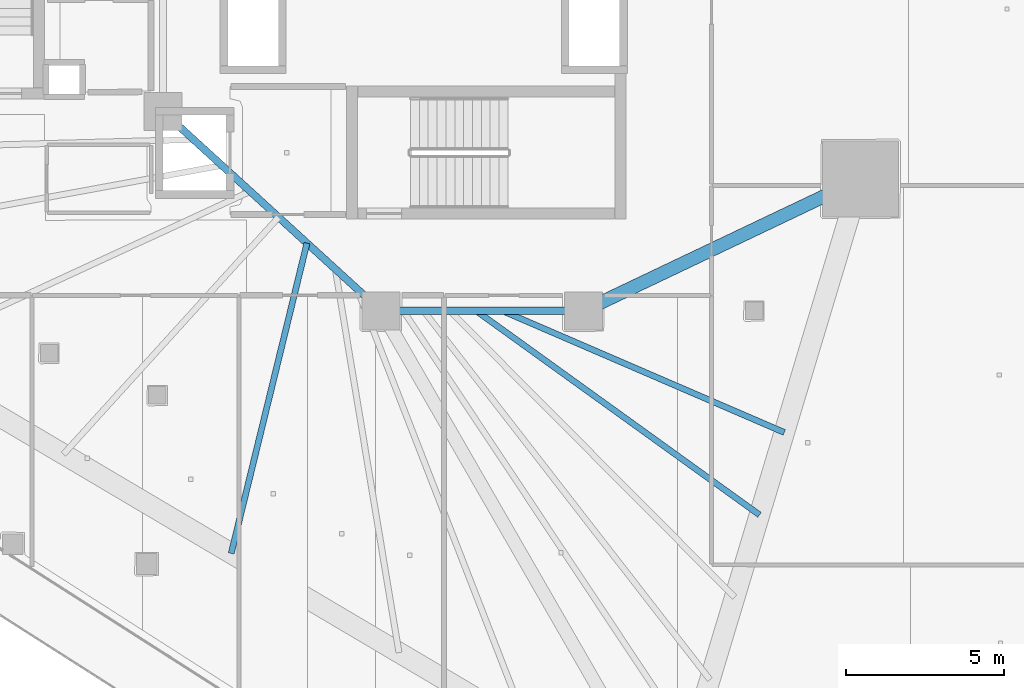
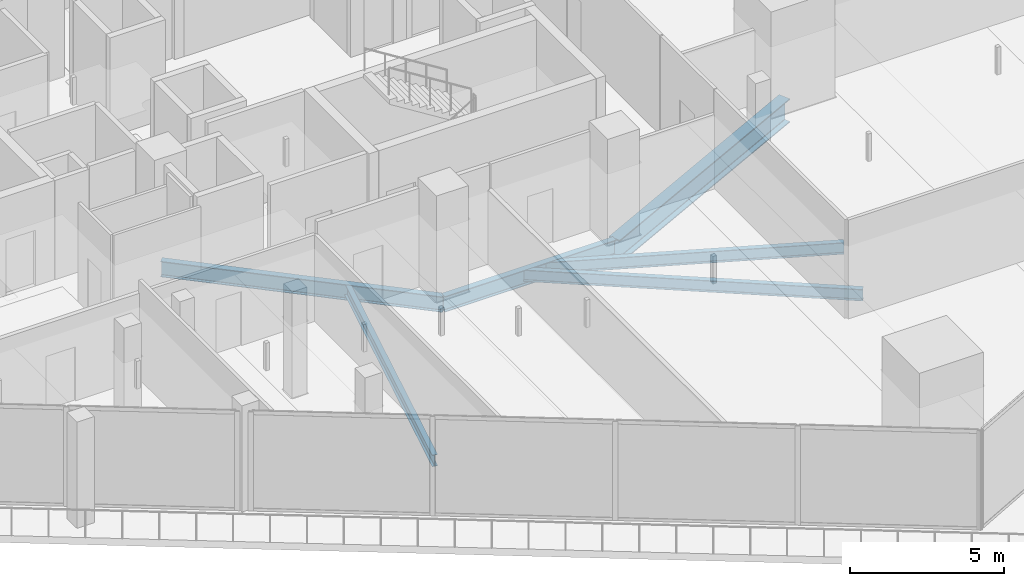
# One storey, part 12 of 46: 6 beams.
"""IFC4 building model written with IfcOpenShell, lengths in metres."""

import ifcopenshell
import ifcopenshell.guid

model = None  # the IFC model being written
_history = None  # IfcOwnerHistory: only IFC2X3 demands one
_inside = {}  # id of a spatial element -> (the spatial element, [elements in it])
_under = {}  # id of a project, library or spatial element -> (it, [spatial elements below it])
_declared = {}  # id of a project -> (the project, [libraries it declares])
_typed = {}  # id of a type object -> (the type object, [elements of that type])
_made_of = {}  # id of a material, layer set ... -> (it, [elements and type objects made of it])


def new_model(schema):
    """Start an empty IFC model of exactly this schema.

    Asked for "IFC4X3", IfcOpenShell would pick the latest addendum, in which some entities
    have other attributes; the version numbers below select the first issue.
    IFC2X3 requires an IfcOwnerHistory on every rooted entity: one is made here for all.
    """
    global model, _history
    if schema == "IFC4X3":
        model = ifcopenshell.file(schema_version=(4, 3, 0, 0))
    else:
        model = ifcopenshell.file(schema=schema)
    _inside.clear()
    _under.clear()
    _declared.clear()
    _typed.clear()
    _made_of.clear()
    _history = None
    if model.schema == "IFC2X3":
        org = make("IfcOrganization", Name="unknown")
        user = make(
            "IfcPersonAndOrganization",
            ThePerson=make("IfcPerson", FamilyName="unknown"),
            TheOrganization=org,
        )
        app = make(
            "IfcApplication",
            ApplicationDeveloper=org,
            Version="unknown",
            ApplicationFullName="unknown",
            ApplicationIdentifier="unknown",
        )
        _history = make(
            "IfcOwnerHistory",
            OwningUser=user,
            OwningApplication=app,
            ChangeAction="ADDED",
            CreationDate=0,
        )
    return model


def make(cls, **values):
    """One entity of the class cls with the attributes given. An attribute that is None is left unset."""
    return model.create_entity(
        cls, **{name: value for name, value in values.items() if value is not None}
    )


def rooted(cls, **values):
    """An entity with a GlobalId (a new one), such as an element, a storey or a relation."""
    return make(cls, GlobalId=ifcopenshell.guid.new(), OwnerHistory=_history, **values)


def si_unit(unit_type, name, prefix=None):
    """IfcSIUnit, for example si_unit("LENGTHUNIT", "METRE", prefix="MILLI")."""
    return make("IfcSIUnit", UnitType=unit_type, Prefix=prefix, Name=name)


def assignment(units):
    """IfcUnitAssignment: the units of a project."""
    return None if units is None else make("IfcUnitAssignment", Units=units)


def point(xyz):
    """IfcCartesianPoint."""
    return None if xyz is None else make("IfcCartesianPoint", Coordinates=xyz)


def direction(xyz):
    """IfcDirection."""
    return None if xyz is None else make("IfcDirection", DirectionRatios=xyz)


def frame(location, z_axis=None, x_axis=None):
    """IfcAxis2Placement3D, a coordinate frame: its origin and axes. An axis left out is left unset."""
    return make(
        "IfcAxis2Placement3D",
        Location=point(location),
        Axis=direction(z_axis),
        RefDirection=direction(x_axis),
    )


def frame_2d(location, x_axis=None):
    """IfcAxis2Placement2D, a coordinate frame in the plane: its origin and x axis."""
    return make(
        "IfcAxis2Placement2D", Location=point(location), RefDirection=direction(x_axis)
    )


def origin():
    """The frame at (0, 0, 0) with its axes left unset."""
    return frame((0.0, 0.0, 0.0))


def origin_2d():
    """The frame at (0, 0) in the plane with its x axis left unset."""
    return frame_2d((0.0, 0.0))


def place(relative_to, where):
    """IfcLocalPlacement: puts the frame where relative to a parent placement (None: the world)."""
    return make(
        "IfcLocalPlacement", PlacementRelTo=relative_to, RelativePlacement=where
    )


def context(
    kind, dimensions, precision=None, world=None, true_north=None, identifier=None
):
    """IfcGeometricRepresentationContext, for example the 3D "Model" context."""
    return make(
        "IfcGeometricRepresentationContext",
        ContextIdentifier=identifier,
        ContextType=kind,
        CoordinateSpaceDimension=dimensions,
        Precision=precision,
        WorldCoordinateSystem=world,
        TrueNorth=true_north,
    )


def subcontext(parent, identifier, kind, view, scale=None):
    """IfcGeometricRepresentationSubContext, for example "Body" below "Model"."""
    return make(
        "IfcGeometricRepresentationSubContext",
        ContextIdentifier=identifier,
        ContextType=kind,
        ParentContext=parent,
        TargetScale=scale,
        TargetView=view,
    )


def project(units=None, contexts=None):
    """IfcProject with its units and contexts."""
    return rooted(
        "IfcProject",
        Name="project",
        RepresentationContexts=contexts,
        UnitsInContext=assignment(units),
    )


def spatial(cls, under=None, at=None, **own):
    """A site, building, storey or space (cls), placed at a placement, below another one or the project."""
    s = rooted(cls, ObjectPlacement=at, **own)
    if under is not None:
        _under.setdefault(under.id(), (under, []))[1].append(s)
    return s


def profile(cls, at=None, kind="AREA", **sizes):
    """A parametric profile (cls). Its sizes go by their IFC names, for example OverallWidth=200.0."""
    return make(cls, ProfileType=kind, Position=at, **sizes)


def i_section(**sizes):
    """IfcIShapeProfileDef."""
    return profile("IfcIShapeProfileDef", **sizes)


def extrude(swept, where, along, depth):
    """IfcExtrudedAreaSolid: the profile swept, set in the frame where, extruded along a direction by depth."""
    return make(
        "IfcExtrudedAreaSolid",
        SweptArea=swept,
        Position=where,
        ExtrudedDirection=direction(along),
        Depth=depth,
    )


def shape(context_of_items, identifier, shape_type, items):
    """IfcShapeRepresentation: the items that make up one representation, for example the "Body"."""
    return make(
        "IfcShapeRepresentation",
        ContextOfItems=context_of_items,
        RepresentationIdentifier=identifier,
        RepresentationType=shape_type,
        Items=items,
    )


def material(Name=None, Category=None):
    """IfcMaterial."""
    return make("IfcMaterial", Name=Name, Category=Category)


def material_profile(
    of_material, cross_section, Name=None, Category=None, Priority=None
):
    """IfcMaterialProfile: a cross section and its material."""
    return make(
        "IfcMaterialProfile",
        Name=Name,
        Material=of_material,
        Profile=cross_section,
        Priority=Priority,
        Category=Category,
    )


def profile_set(profiles, Name=None, composite=None):
    """IfcMaterialProfileSet."""
    return make(
        "IfcMaterialProfileSet",
        Name=Name,
        MaterialProfiles=profiles,
        CompositeProfile=composite,
    )


def made_of(thing, what):
    """Note that an element or type object is made of a material, layer set ...; save() writes the relation."""
    if what is not None:
        _made_of.setdefault(what.id(), (what, []))[1].append(thing)
    return thing


def type_object(cls, material=None, **own):
    """A type object (cls), such as IfcWallType, which elements share."""
    return made_of(rooted(cls, **own), material)


def element(
    cls,
    number,
    at=None,
    inside=None,
    cuts=None,
    type_object=None,
    material=None,
    context=None,
    identifier="Body",
    shape_type=None,
    held_by="IfcProductDefinitionShape",
    body=None,
    shapes=None,
    **own,
):
    """One element of the class cls, such as IfcWall. Its Tag is "e" and its number.

    at: its placement. inside: the storey or other place that contains it. cuts: it is an
    opening in that element (IfcRelVoidsElement). A single representation is given by context,
    identifier, shape_type and body (its items); several are given by shapes. held_by: the class
    of the entity that holds the representations. save() writes the other relations.
    """
    e = rooted(cls, Tag="e%d" % number, ObjectPlacement=at, **own)
    if body is not None:
        shapes = [shape(context, identifier, shape_type, body)]
    if shapes is not None:
        e.Representation = make(held_by, Representations=shapes)
    if inside is not None:
        _inside.setdefault(inside.id(), (inside, []))[1].append(e)
    if cuts is not None:
        rooted(
            "IfcRelVoidsElement", RelatingBuildingElement=cuts, RelatedOpeningElement=e
        )
    if type_object is not None:
        _typed.setdefault(type_object.id(), (type_object, []))[1].append(e)
    return made_of(e, material)


def aggregate(whole, parts):
    """IfcRelAggregates: a whole, such as a stair, and the parts it consists of."""
    return rooted("IfcRelAggregates", RelatingObject=whole, RelatedObjects=parts)


def save(model, path):
    """Write the relations noted so far, then the file.

    IfcRelAggregates (storeys below a building ...), IfcRelContainedInSpatialStructure (elements
    in a storey), IfcRelDefinesByType, IfcRelAssociatesMaterial and IfcRelDeclares: one each for
    every whole, place, type object, material and project.
    """
    for whole, parts in _under.values():
        aggregate(whole, parts)
    for where, things in _inside.values():
        rooted(
            "IfcRelContainedInSpatialStructure",
            RelatedElements=things,
            RelatingStructure=where,
        )
    for kind, things in _typed.values():
        rooted("IfcRelDefinesByType", RelatedObjects=things, RelatingType=kind)
    for what, things in _made_of.values():
        rooted("IfcRelAssociatesMaterial", RelatedObjects=things, RelatingMaterial=what)
    for by, libraries in _declared.values():
        rooted("IfcRelDeclares", RelatingContext=by, RelatedDefinitions=libraries)
    model.write(path)


model = new_model("IFC4")

# Units and contexts
model_context = context("Model", 3, precision=1e-05, world=origin(), true_north=direction((0.0, 1.0)))
body_context = subcontext(model_context, "Body", "Model", "MODEL_VIEW")
ifc_project = project(units=[si_unit("LENGTHUNIT", "METRE"), si_unit("AREAUNIT", "SQUARE_METRE"), si_unit("VOLUMEUNIT", "CUBIC_METRE"), si_unit("PLANEANGLEUNIT", "RADIAN"), si_unit("MASSUNIT", "GRAM", prefix="KILO")], contexts=[model_context])

# Site, building, storey
site_placement = place(None, origin())
site = spatial("IfcSite", under=ifc_project, at=site_placement, CompositionType="ELEMENT")
building_placement = place(site_placement, origin())
building = spatial("IfcBuilding", under=site, at=building_placement, Name="Qorvath Tower", CompositionType="ELEMENT")
storey_placement = place(building_placement, frame((0.0, 0.0, 87.0)))
storey = spatial("IfcBuildingStorey", under=building, at=storey_placement, Name="L19", CompositionType="ELEMENT", Elevation=87.0)

# Beams
ifc_material_1 = material(Name="Steel ASTM A992 Grade 50", Category="steel")
ifc_material_profile_1 = material_profile(ifc_material_1, i_section(OverallWidth=0.422119140625, OverallDepth=0.93310546875, WebThickness=0.021240234375, FlangeThickness=0.039794921875, FilletRadius=0.02392578125, at=origin_2d()), Name="W36x262")
ifc_profile_set_1 = profile_set([ifc_material_profile_1], Name="Steel ASTM A992 Grade 50")
beam_type_1 = type_object("IfcBeamType", Name="BM-FG1", PredefinedType="BEAM", material=ifc_profile_set_1)
beam_1_placement = place(storey_placement, frame((-17.199951171875, -11.449951171875, -0.74658203125), z_axis=(0.902955751435, 0.429733534821, 0.0), x_axis=(-0.429733534821, 0.902955751435, 0.0)))
element("IfcBeam", 1, at=beam_1_placement, inside=storey, type_object=beam_type_1, Name="Radial Floor Girder CC3-MC4 L19", PredefinedType="BEAM", context=body_context, shape_type="SweptSolid", body=[
    extrude(i_section(OverallWidth=0.422119140625, OverallDepth=0.93310546875, WebThickness=0.021240234375, FlangeThickness=0.039794921875, FilletRadius=0.02392578125, at=origin_2d()), origin(), (0.0, 0.0, 1.0), 9.7119140625),
])
ifc_material_2 = material(Name="Steel ASTM A992 Grade 50", Category="steel")
ifc_material_profile_2 = material_profile(ifc_material_2, i_section(OverallWidth=0.22998046875, OverallDepth=0.616943359375, WebThickness=0.01318359375, FlangeThickness=0.022216796875, FilletRadius=0.014892578125, at=origin_2d()), Name="W24x94")
ifc_profile_set_2 = profile_set([ifc_material_profile_2], Name="Steel ASTM A992 Grade 50")
beam_type_2 = type_object("IfcBeamType", Name="BM-FG6", PredefinedType="BEAM", material=ifc_profile_set_2)
beam_2_placement = place(storey_placement, frame((-17.199951171875, -11.449951171875, -0.58837890625), z_axis=(-1.0, 0.0, 0.0), x_axis=(0.0, -1.0, 0.0)))
element("IfcBeam", 2, at=beam_2_placement, inside=storey, type_object=beam_type_2, Name="Core Ring Girder CC3-CC4 L19", PredefinedType="BEAM", context=body_context, shape_type="SweptSolid", body=[
    extrude(i_section(OverallWidth=0.22998046875, OverallDepth=0.616943359375, WebThickness=0.01318359375, FlangeThickness=0.022216796875, FilletRadius=0.014892578125, at=origin_2d()), origin(), (0.0, 0.0, 1.0), 6.400146484375),
])
beam_3_placement = place(storey_placement, frame((-23.60009765625, -11.449951171875, -0.58837890625), z_axis=(-0.73847813985, 0.6742774184, 0.0), x_axis=(-0.6742774184, -0.73847813985, 0.0)))
element("IfcBeam", 3, at=beam_3_placement, inside=storey, type_object=beam_type_2, Name="Core Ring Girder CC4-CC6 L19", PredefinedType="BEAM", context=body_context, shape_type="SweptSolid", body=[
    extrude(i_section(OverallWidth=0.22998046875, OverallDepth=0.616943359375, WebThickness=0.01318359375, FlangeThickness=0.022216796875, FilletRadius=0.014892578125, at=origin_2d()), origin(), (0.0, 0.0, 1.0), 9.343505859375),
])
ifc_material_3 = material(Name="Steel ASTM A992 Grade 50", Category="steel")
ifc_material_profile_3 = material_profile(ifc_material_3, i_section(OverallWidth=0.18994140625, OverallDepth=0.45703125, WebThickness=0.009033203125, FlangeThickness=0.014404296875, FilletRadius=0.011962890625, at=origin_2d()), Name="W18x50")
ifc_profile_set_3 = profile_set([ifc_material_profile_3], Name="Steel ASTM A992 Grade 50")
beam_type_3 = type_object("IfcBeamType", Name="BM-FJ2", PredefinedType="JOIST", material=ifc_profile_set_3)
beam_4_placement = place(storey_placement, frame((-19.760009765625, -11.449951171875, -0.508544921875), z_axis=(0.918135537923, -0.396266493667, 0.0), x_axis=(0.396266493667, 0.918135537923, 0.0)))
element("IfcBeam", 4, at=beam_4_placement, inside=storey, type_object=beam_type_3, Name="Composite Floor Joist SE3 L19", PredefinedType="JOIST", context=body_context, shape_type="SweptSolid", body=[
    extrude(i_section(OverallWidth=0.18994140625, OverallDepth=0.45703125, WebThickness=0.009033203125, FlangeThickness=0.014404296875, FilletRadius=0.011962890625, at=origin_2d()), origin(), (0.0, 0.0, 1.0), 9.7109375),
])
beam_5_placement = place(storey_placement, frame((-20.592041015625, -11.449951171875, -0.508544921875), z_axis=(0.811469358397, -0.584394969505, 0.0), x_axis=(0.584394969505, 0.811469358397, 0.0)))
element("IfcBeam", 5, at=beam_5_placement, inside=storey, type_object=beam_type_3, Name="Composite Floor Joist SE4 L19", PredefinedType="JOIST", context=body_context, shape_type="SweptSolid", body=[
    extrude(i_section(OverallWidth=0.18994140625, OverallDepth=0.45703125, WebThickness=0.009033203125, FlangeThickness=0.014404296875, FilletRadius=0.011962890625, at=origin_2d()), origin(), (0.0, 0.0, 1.0), 11.046142578125),
])
beam_6_placement = place(storey_placement, frame((-25.946044921875, -9.30810546875, -0.508544921875), z_axis=(-0.237165308581, -0.97146930801, 0.0), x_axis=(0.97146930801, -0.237165308581, 0.0)))
element("IfcBeam", 6, at=beam_6_placement, inside=storey, type_object=beam_type_3, Name="Composite Floor Joist SW5 L19", PredefinedType="JOIST", context=body_context, shape_type="SweptSolid", body=[
    extrude(i_section(OverallWidth=0.18994140625, OverallDepth=0.45703125, WebThickness=0.009033203125, FlangeThickness=0.014404296875, FilletRadius=0.011962890625, at=origin_2d()), origin(), (0.0, 0.0, 1.0), 10.104736328125),
])

save(model, "model.ifc")
